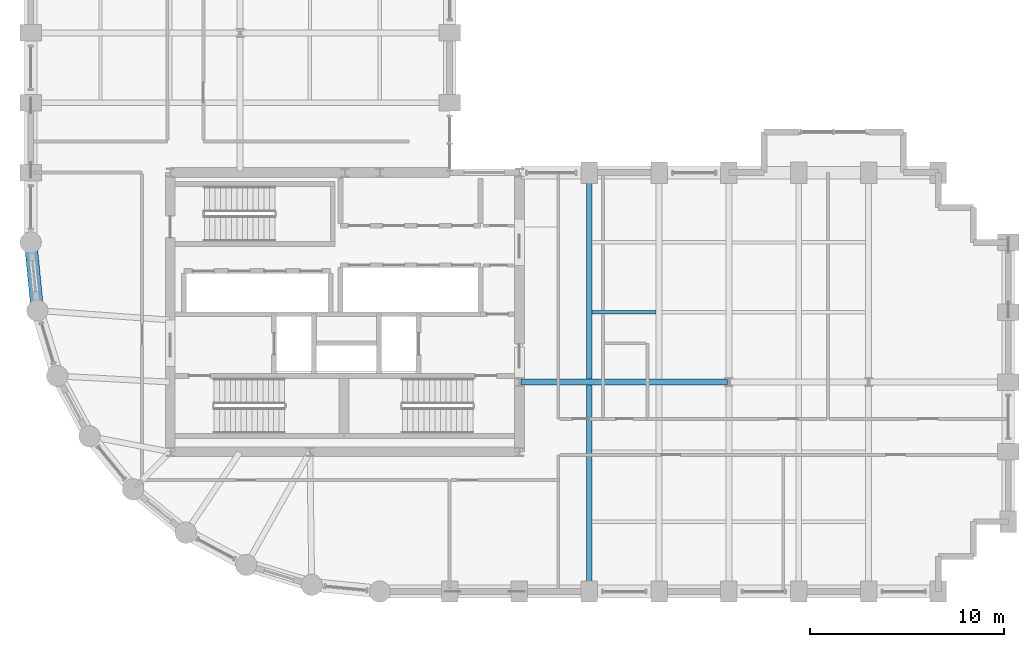
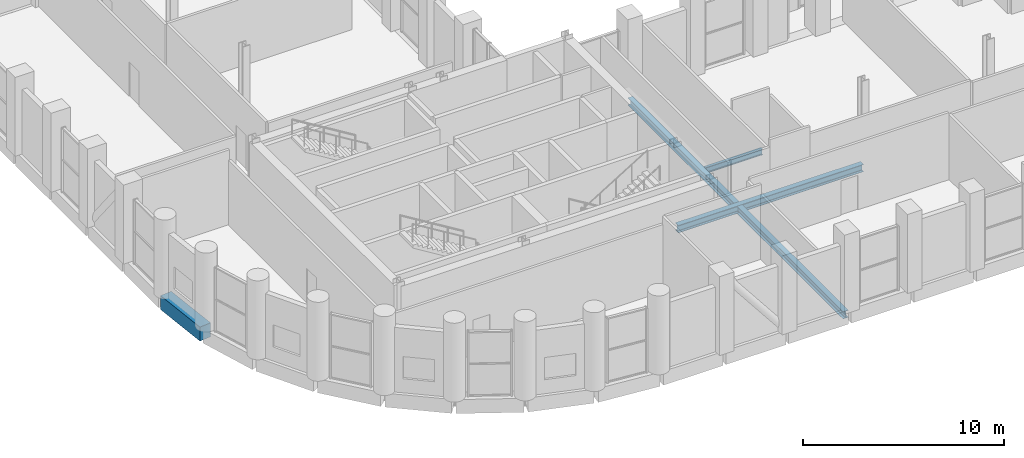
# One storey, part 4 of 22: 4 beams.
"""IFC4 building model written with IfcOpenShell, lengths in metres."""

from ifc_helpers import new_model, si_unit, direction, frame, origin, origin_2d, place, context, subcontext, project, spatial, rectangle, i_section, extrude, material, material_profile, profile_set, type_object, element, save


model = new_model("IFC4")

# Units and contexts
model_context = context("Model", 3, precision=1e-05, world=origin(), true_north=direction((0.0, 1.0)))
body_context = subcontext(model_context, "Body", "Model", "MODEL_VIEW")
ifc_project = project(units=[si_unit("LENGTHUNIT", "METRE"), si_unit("AREAUNIT", "SQUARE_METRE"), si_unit("VOLUMEUNIT", "CUBIC_METRE"), si_unit("PLANEANGLEUNIT", "RADIAN"), si_unit("MASSUNIT", "GRAM", prefix="KILO")], contexts=[model_context])

# Site, building, storey
site_placement = place(None, origin())
site = spatial("IfcSite", under=ifc_project, at=site_placement, CompositionType="ELEMENT")
building_placement = place(site_placement, origin())
building = spatial("IfcBuilding", under=site, at=building_placement, Name="Solnavia Interchange Tower", CompositionType="ELEMENT")
storey_placement = place(building_placement, frame((0.0, 0.0, 115.199951171875)))
storey = spatial("IfcBuildingStorey", under=building, at=storey_placement, Name="L28", CompositionType="ELEMENT", Elevation=115.199951171875)

# Beams
ifc_material_1 = material(Name="Steel S460", Category="steel")
ifc_material_profile_1 = material_profile(ifc_material_1, i_section(OverallWidth=0.300048828125, OverallDepth=0.449951171875, WebThickness=0.013916015625, FlangeThickness=0.02587890625, FilletRadius=0.027099609375, at=origin_2d()), Name="HEB 450")
ifc_profile_set_1 = profile_set([ifc_material_profile_1], Name="Steel S460")
beam_type_1 = type_object("IfcBeamType", Name="Beam-Girder-HEB450", PredefinedType="BEAM", material=ifc_profile_set_1)
beam_1_placement = place(storey_placement, frame((32.47998046875, 14.39990234375, -0.544921875), z_axis=(1.0, 0.0, 0.0), x_axis=(0.0, 1.0, 0.0)))
element("IfcBeam", 1, at=beam_1_placement, inside=storey, type_object=beam_type_1, Name="GRD-L28-ES01 East wing spine girder", PredefinedType="BEAM", context=body_context, shape_type="SweptSolid", body=[
    extrude(i_section(OverallWidth=0.300048828125, OverallDepth=0.449951171875, WebThickness=0.013916015625, FlangeThickness=0.02587890625, FilletRadius=0.027099609375, at=origin_2d()), origin(), (0.0, 0.0, 1.0), 10.64013671875),
])
beam_2_placement = place(storey_placement, frame((36.0, 3.679931640625, -0.544921875), z_axis=(0.0, 1.0, 0.0), x_axis=(-1.0, 0.0, 0.0)))
element("IfcBeam", 2, at=beam_2_placement, inside=storey, type_object=beam_type_1, Name="GRD-L28-EW04 East wing primary floor girder", PredefinedType="BEAM", context=body_context, shape_type="SweptSolid", body=[
    extrude(i_section(OverallWidth=0.300048828125, OverallDepth=0.449951171875, WebThickness=0.013916015625, FlangeThickness=0.02587890625, FilletRadius=0.027099609375, at=origin_2d()), origin(), (0.0, 0.0, 1.0), 21.440185546875),
])
ifc_material_2 = material(Name="Steel S355", Category="steel")
ifc_material_profile_2 = material_profile(ifc_material_2, i_section(OverallWidth=0.169921875, OverallDepth=0.360107421875, WebThickness=0.008056640625, FlangeThickness=0.0126953125, FilletRadius=0.01806640625, at=origin_2d()), Name="IPE 360")
ifc_profile_set_2 = profile_set([ifc_material_profile_2], Name="Steel S355")
beam_type_2 = type_object("IfcBeamType", Name="Beam-Joist-IPE360", PredefinedType="JOIST", material=ifc_profile_set_2)
beam_3_placement = place(storey_placement, frame((36.14990234375, 18.0, -0.5), z_axis=(1.0, 0.0, 0.0), x_axis=(0.0, 1.0, 0.0)))
element("IfcBeam", 3, at=beam_3_placement, inside=storey, type_object=beam_type_2, Name="JST-L28-E09 East wing secondary joist", PredefinedType="JOIST", context=body_context, shape_type="SweptSolid", body=[
    extrude(i_section(OverallWidth=0.169921875, OverallDepth=0.360107421875, WebThickness=0.008056640625, FlangeThickness=0.0126953125, FilletRadius=0.01806640625, at=origin_2d()), origin(), (0.0, 0.0, 1.0), 3.300048828125),
])
ifc_material_3 = material(Name="Concrete C50/60", Category="concrete")
ifc_material_profile_3 = material_profile(ifc_material_3, rectangle(XDim=0.64990234375, YDim=0.85009765625, at=origin_2d()), Name="RC 650x850")
ifc_profile_set_3 = profile_set([ifc_material_profile_3], Name="Concrete C50/60")
beam_type_3 = type_object("IfcBeamType", Name="Beam-Spandrel-RC650x850", PredefinedType="SPANDREL", material=ifc_profile_set_3)
beam_4_placement = place(storey_placement, frame((7.207763671875, 21.5205078125, -0.425048828125), z_axis=(0.098040038117, -0.995182471171, 0.0), x_axis=(0.995182471171, 0.098040038117, 0.0)))
element("IfcBeam", 4, at=beam_4_placement, inside=storey, type_object=beam_type_3, Name="SPB-L28-01 Framed-tube perimeter spandrel beam", PredefinedType="SPANDREL", context=body_context, shape_type="SweptSolid", body=[
    extrude(rectangle(XDim=0.64990234375, YDim=0.85009765625, at=origin_2d()), origin(), (0.0, 0.0, 1.0), 3.369140625),
])

save(model, "model.ifc")
